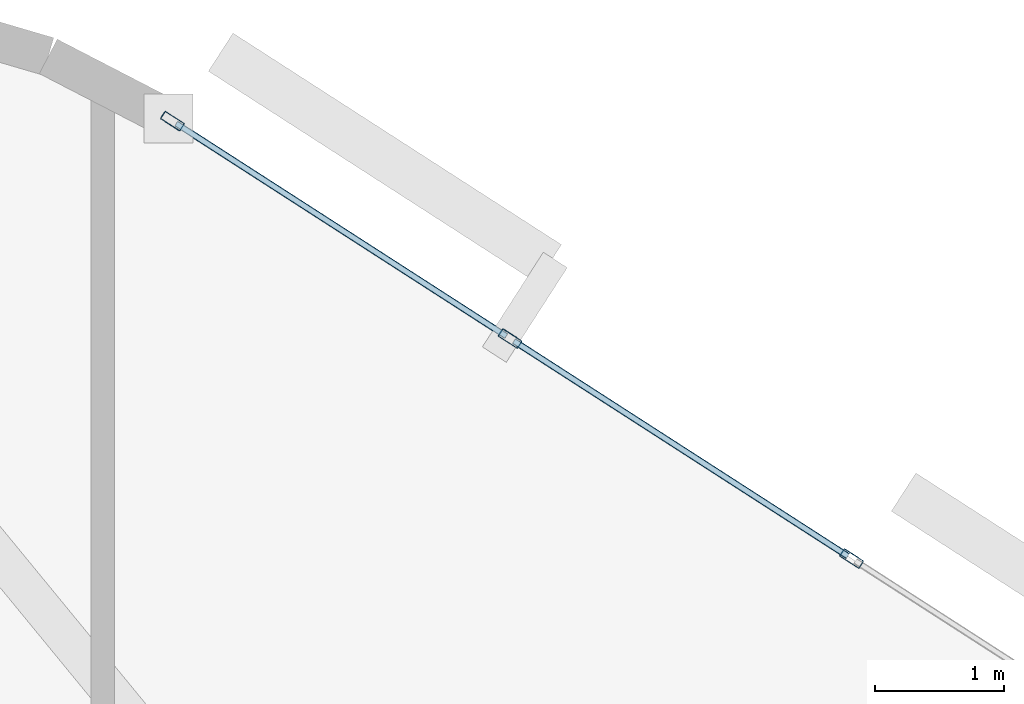
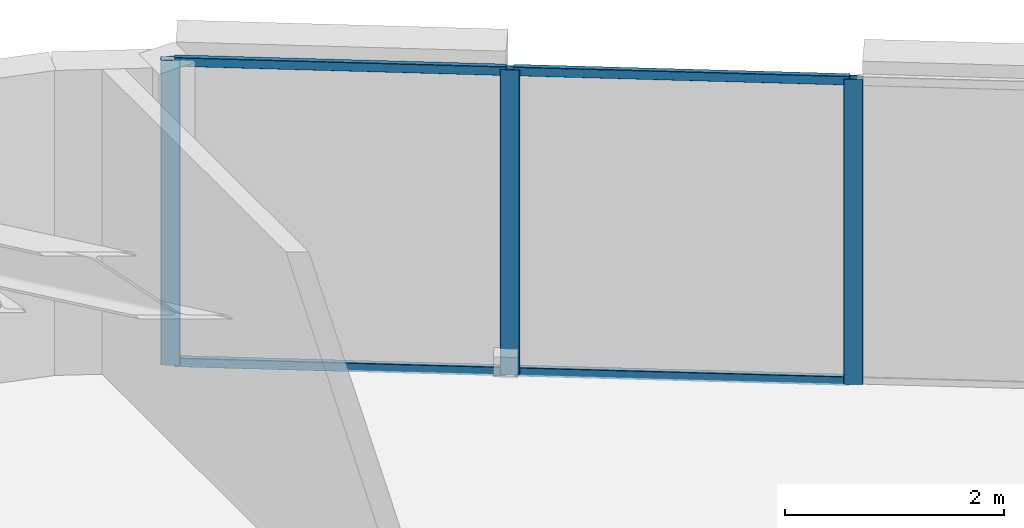
# One storey, part 8 of 15: 7 members, 1 element without a shape of its own.
"""IFC4 building model written with IfcOpenShell, lengths in metres."""

from ifc_helpers import new_model, si_unit, direction, frame, origin, origin_2d, place, context, subcontext, project, spatial, hollow_rectangle, extrude, material, layer, layer_set, material_profile, profile_set, type_object, element, aggregate, save


model = new_model("IFC4")

# Units and contexts
model_context = context("Model", 3, precision=1e-05, world=origin(), true_north=direction((0.0, 1.0)))
body_context = subcontext(model_context, "Body", "Model", "MODEL_VIEW")
ifc_project = project(units=[si_unit("LENGTHUNIT", "METRE"), si_unit("AREAUNIT", "SQUARE_METRE"), si_unit("VOLUMEUNIT", "CUBIC_METRE"), si_unit("PLANEANGLEUNIT", "RADIAN"), si_unit("MASSUNIT", "GRAM", prefix="KILO")], contexts=[model_context])

# Site, building, storey
site_placement = place(None, origin())
site = spatial("IfcSite", under=ifc_project, at=site_placement, CompositionType="ELEMENT")
building_placement = place(site_placement, origin())
building = spatial("IfcBuilding", under=site, at=building_placement, Name="An Khanh Terracotta Commons", CompositionType="ELEMENT")
storey_placement = place(building_placement, frame((0.0, 0.0, 147.39990234375)))
storey = spatial("IfcBuildingStorey", under=building, at=storey_placement, Name="L38", CompositionType="ELEMENT", Elevation=147.39990234375)

# Curtain wall, members
ifc_material = material(Name="Anodised Aluminium 6063-T6", Category="aluminium")
ifc_layer = layer(ifc_material, 0.2099609375, Name="Anodised Aluminium 6063-T6")
ifc_layer_set = layer_set([ifc_layer], Name="Anodised Aluminium 6063-T6")
curtain_wall_type = type_object("IfcCurtainWallType", Name="CW-SYS-03", PredefinedType="USERDEFINED", material=ifc_layer_set)
curtain_wall_placement = place(storey_placement, origin())
curtain_wall = element("IfcCurtainWall", 1, at=curtain_wall_placement, inside=storey, type_object=curtain_wall_type, Name="L38 CW-03 Unitised Curtain Wall CW-L38-16", ObjectType="UNITISED CURTAIN WALL", PredefinedType="USERDEFINED")
ifc_material_profile_1 = material_profile(ifc_material, hollow_rectangle(XDim=0.070068359375, YDim=0.179931640625, WallThickness=0.00390625, InnerFilletRadius=0.00390625, OuterFilletRadius=0.008056640625, at=origin_2d()), Name="RHS180x70x4")
ifc_profile_set_1 = profile_set([ifc_material_profile_1], Name="Anodised Aluminium 6063-T6")
member_type_1 = type_object("IfcMemberType", Name="CWM-RHS180x70x4", PredefinedType="MULLION", material=ifc_profile_set_1)
member_1_placement = place(storey_placement, frame((57.838623046875, 37.52392578125, 0.0), z_axis=(0.0, 0.0, 1.0), x_axis=(-0.541497931062, -0.840702081986, 0.0)))
member_1 = element("IfcMember", 2, at=member_1_placement, type_object=member_type_1, Name="CW-03 mullion 2", PredefinedType="MULLION", context=body_context, shape_type="SweptSolid", body=[
    extrude(hollow_rectangle(XDim=0.070068359375, YDim=0.179931640625, WallThickness=0.00390625, InnerFilletRadius=0.00390625, OuterFilletRadius=0.008056640625, at=origin_2d()), origin(), (0.0, 0.0, 1.0), 3.400146484375),
])
member_2_placement = place(storey_placement, frame((55.19921875, 39.22412109375, 0.0), z_axis=(0.0, 0.0, 1.0), x_axis=(-0.541497931062, -0.840702081986, 0.0)))
member_2 = element("IfcMember", 3, at=member_2_placement, type_object=member_type_1, Name="CW-03 mullion 3", PredefinedType="MULLION", context=body_context, shape_type="SweptSolid", body=[
    extrude(hollow_rectangle(XDim=0.070068359375, YDim=0.179931640625, WallThickness=0.00390625, InnerFilletRadius=0.00390625, OuterFilletRadius=0.008056640625, at=origin_2d()), origin(), (0.0, 0.0, 1.0), 3.400146484375),
])
member_3_placement = place(storey_placement, frame((52.58935546875, 40.905029296875, 0.0), z_axis=(0.0, 0.0, 1.0), x_axis=(-0.541497931062, -0.840702081986, 0.0)))
member_3 = element("IfcMember", 4, at=member_3_placement, type_object=member_type_1, Name="CW-03 mullion 4", PredefinedType="MULLION", context=body_context, shape_type="SweptSolid", body=[
    extrude(hollow_rectangle(XDim=0.070068359375, YDim=0.179931640625, WallThickness=0.00390625, InnerFilletRadius=0.00390625, OuterFilletRadius=0.008056640625, at=origin_2d()), origin(), (0.0, 0.0, 1.0), 3.400146484375),
])
ifc_material_profile_2 = material_profile(ifc_material, hollow_rectangle(XDim=0.050048828125, YDim=0.10009765625, WallThickness=0.003173828125, InnerFilletRadius=0.003173828125, OuterFilletRadius=0.00634765625, at=origin_2d()), Name="RHS100x50x3.2")
ifc_profile_set_2 = profile_set([ifc_material_profile_2], Name="Anodised Aluminium 6063-T6")
member_type_2 = type_object("IfcMemberType", Name="CWT-RHS100x50x3.2", PredefinedType="USERDEFINED", material=ifc_profile_set_2)
member_4_placement = place(storey_placement, frame((57.809326171875, 37.54296875, 0.025146484375), z_axis=(-0.840707825526, 0.54148901383, 0.0), x_axis=(-0.54148901383, -0.840707825526, 0.0)))
member_4 = element("IfcMember", 5, at=member_4_placement, type_object=member_type_2, Name="CW-03 transom 2.1", ObjectType="TRANSOM", PredefinedType="USERDEFINED", context=body_context, shape_type="SweptSolid", body=[
    extrude(hollow_rectangle(XDim=0.050048828125, YDim=0.10009765625, WallThickness=0.003173828125, InnerFilletRadius=0.003173828125, OuterFilletRadius=0.00634765625, at=origin_2d()), origin(), (0.0, 0.0, 1.0), 3.069580078125),
])
member_5_placement = place(storey_placement, frame((57.809326171875, 37.54296875, 3.375), z_axis=(-0.840707825526, 0.54148901383, 0.0), x_axis=(-0.54148901383, -0.840707825526, 0.0)))
member_5 = element("IfcMember", 6, at=member_5_placement, type_object=member_type_2, Name="CW-03 transom 2.2", ObjectType="TRANSOM", PredefinedType="USERDEFINED", context=body_context, shape_type="SweptSolid", body=[
    extrude(hollow_rectangle(XDim=0.050048828125, YDim=0.10009765625, WallThickness=0.003173828125, InnerFilletRadius=0.003173828125, OuterFilletRadius=0.00634765625, at=origin_2d()), origin(), (0.0, 0.0, 1.0), 3.069580078125),
])
member_6_placement = place(storey_placement, frame((55.169921875, 39.242919921875, 0.025146484375), z_axis=(-0.840710223453, 0.541485290826, 0.0), x_axis=(-0.541485290826, -0.840710223453, 0.0)))
member_6 = element("IfcMember", 7, at=member_6_placement, type_object=member_type_2, Name="CW-03 transom 3.1", ObjectType="TRANSOM", PredefinedType="USERDEFINED", context=body_context, shape_type="SweptSolid", body=[
    extrude(hollow_rectangle(XDim=0.050048828125, YDim=0.10009765625, WallThickness=0.003173828125, InnerFilletRadius=0.003173828125, OuterFilletRadius=0.00634765625, at=origin_2d()), origin(), (0.0, 0.0, 1.0), 3.034423828125),
])
member_7_placement = place(storey_placement, frame((55.169921875, 39.242919921875, 3.375), z_axis=(-0.840710223453, 0.541485290826, 0.0), x_axis=(-0.541485290826, -0.840710223453, 0.0)))
member_7 = element("IfcMember", 8, at=member_7_placement, type_object=member_type_2, Name="CW-03 transom 3.2", ObjectType="TRANSOM", PredefinedType="USERDEFINED", context=body_context, shape_type="SweptSolid", body=[
    extrude(hollow_rectangle(XDim=0.050048828125, YDim=0.10009765625, WallThickness=0.003173828125, InnerFilletRadius=0.003173828125, OuterFilletRadius=0.00634765625, at=origin_2d()), origin(), (0.0, 0.0, 1.0), 3.034423828125),
])
aggregate(curtain_wall, [member_1, member_2, member_3, member_4, member_5, member_6, member_7])

save(model, "model.ifc")
